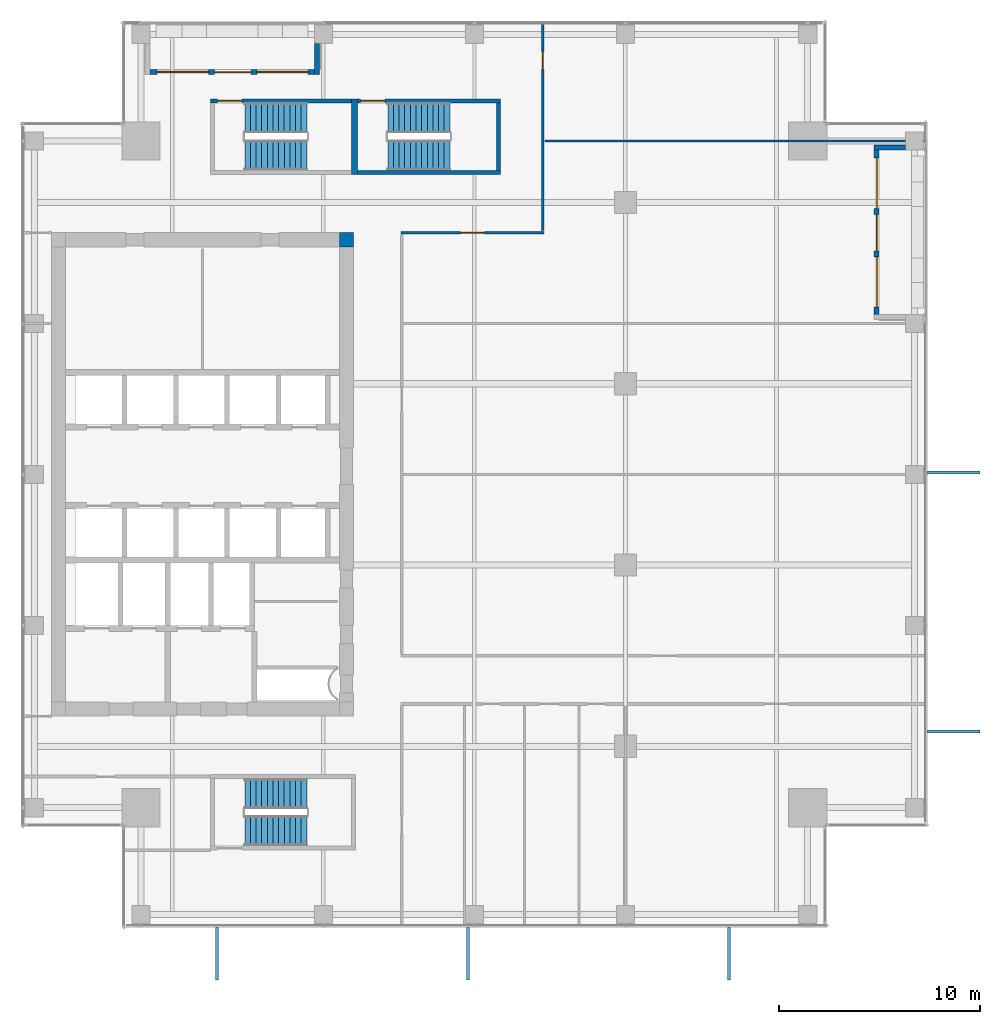
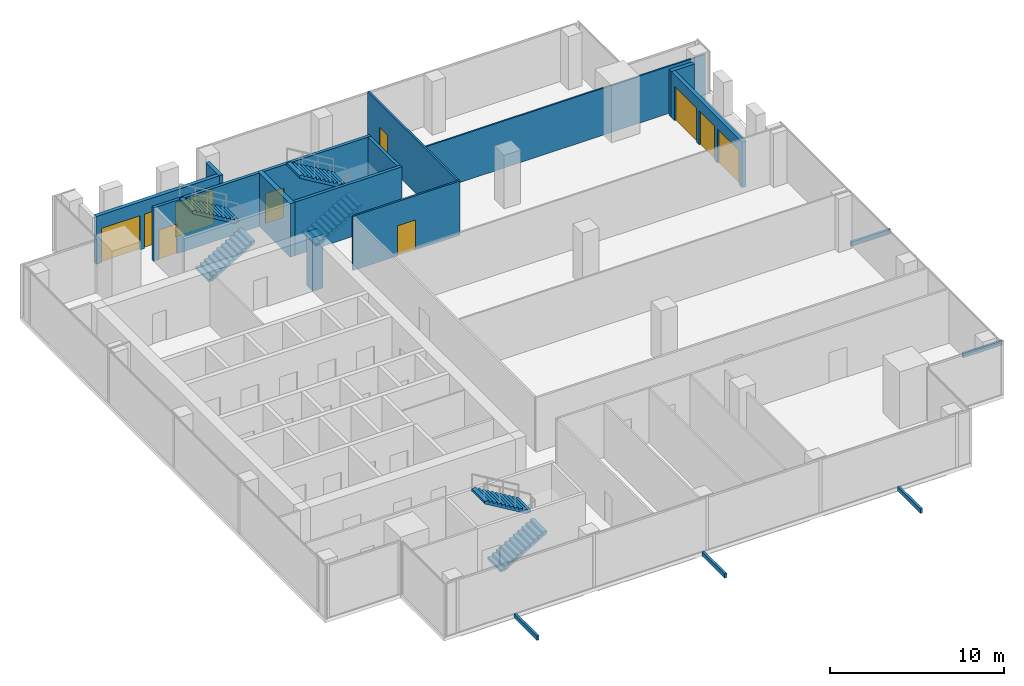
# One storey, part 31 of 34: 13 walls, 6 doors, 6 stair flights, 5 discrete accessories, 4 windows, 10 openings, 3 elements without a shape of their own.
"""IFC4 building model written with IfcOpenShell, lengths in metres."""

import ifcopenshell
import ifcopenshell.guid

model = None  # the IFC model being written
_history = None  # IfcOwnerHistory: only IFC2X3 demands one
_inside = {}  # id of a spatial element -> (the spatial element, [elements in it])
_under = {}  # id of a project, library or spatial element -> (it, [spatial elements below it])
_declared = {}  # id of a project -> (the project, [libraries it declares])
_typed = {}  # id of a type object -> (the type object, [elements of that type])
_made_of = {}  # id of a material, layer set ... -> (it, [elements and type objects made of it])


def new_model(schema):
    """Start an empty IFC model of exactly this schema.

    Asked for "IFC4X3", IfcOpenShell would pick the latest addendum, in which some entities
    have other attributes; the version numbers below select the first issue.
    IFC2X3 requires an IfcOwnerHistory on every rooted entity: one is made here for all.
    """
    global model, _history
    if schema == "IFC4X3":
        model = ifcopenshell.file(schema_version=(4, 3, 0, 0))
    else:
        model = ifcopenshell.file(schema=schema)
    _inside.clear()
    _under.clear()
    _declared.clear()
    _typed.clear()
    _made_of.clear()
    _history = None
    if model.schema == "IFC2X3":
        org = make("IfcOrganization", Name="unknown")
        user = make(
            "IfcPersonAndOrganization",
            ThePerson=make("IfcPerson", FamilyName="unknown"),
            TheOrganization=org,
        )
        app = make(
            "IfcApplication",
            ApplicationDeveloper=org,
            Version="unknown",
            ApplicationFullName="unknown",
            ApplicationIdentifier="unknown",
        )
        _history = make(
            "IfcOwnerHistory",
            OwningUser=user,
            OwningApplication=app,
            ChangeAction="ADDED",
            CreationDate=0,
        )
    return model


def make(cls, **values):
    """One entity of the class cls with the attributes given. An attribute that is None is left unset."""
    return model.create_entity(
        cls, **{name: value for name, value in values.items() if value is not None}
    )


def rooted(cls, **values):
    """An entity with a GlobalId (a new one), such as an element, a storey or a relation."""
    return make(cls, GlobalId=ifcopenshell.guid.new(), OwnerHistory=_history, **values)


def si_unit(unit_type, name, prefix=None):
    """IfcSIUnit, for example si_unit("LENGTHUNIT", "METRE", prefix="MILLI")."""
    return make("IfcSIUnit", UnitType=unit_type, Prefix=prefix, Name=name)


def assignment(units):
    """IfcUnitAssignment: the units of a project."""
    return None if units is None else make("IfcUnitAssignment", Units=units)


def point(xyz):
    """IfcCartesianPoint."""
    return None if xyz is None else make("IfcCartesianPoint", Coordinates=xyz)


def direction(xyz):
    """IfcDirection."""
    return None if xyz is None else make("IfcDirection", DirectionRatios=xyz)


def frame(location, z_axis=None, x_axis=None):
    """IfcAxis2Placement3D, a coordinate frame: its origin and axes. An axis left out is left unset."""
    return make(
        "IfcAxis2Placement3D",
        Location=point(location),
        Axis=direction(z_axis),
        RefDirection=direction(x_axis),
    )


def frame_2d(location, x_axis=None):
    """IfcAxis2Placement2D, a coordinate frame in the plane: its origin and x axis."""
    return make(
        "IfcAxis2Placement2D", Location=point(location), RefDirection=direction(x_axis)
    )


def origin():
    """The frame at (0, 0, 0) with its axes left unset."""
    return frame((0.0, 0.0, 0.0))


def origin_2d():
    """The frame at (0, 0) in the plane with its x axis left unset."""
    return frame_2d((0.0, 0.0))


def place(relative_to, where):
    """IfcLocalPlacement: puts the frame where relative to a parent placement (None: the world)."""
    return make(
        "IfcLocalPlacement", PlacementRelTo=relative_to, RelativePlacement=where
    )


def context(
    kind, dimensions, precision=None, world=None, true_north=None, identifier=None
):
    """IfcGeometricRepresentationContext, for example the 3D "Model" context."""
    return make(
        "IfcGeometricRepresentationContext",
        ContextIdentifier=identifier,
        ContextType=kind,
        CoordinateSpaceDimension=dimensions,
        Precision=precision,
        WorldCoordinateSystem=world,
        TrueNorth=true_north,
    )


def subcontext(parent, identifier, kind, view, scale=None):
    """IfcGeometricRepresentationSubContext, for example "Body" below "Model"."""
    return make(
        "IfcGeometricRepresentationSubContext",
        ContextIdentifier=identifier,
        ContextType=kind,
        ParentContext=parent,
        TargetScale=scale,
        TargetView=view,
    )


def project(units=None, contexts=None):
    """IfcProject with its units and contexts."""
    return rooted(
        "IfcProject",
        Name="project",
        RepresentationContexts=contexts,
        UnitsInContext=assignment(units),
    )


def spatial(cls, under=None, at=None, **own):
    """A site, building, storey or space (cls), placed at a placement, below another one or the project."""
    s = rooted(cls, ObjectPlacement=at, **own)
    if under is not None:
        _under.setdefault(under.id(), (under, []))[1].append(s)
    return s


def polyline(points):
    """IfcPolyline through the points."""
    return make("IfcPolyline", Points=[point(p) for p in points])


def profile(cls, at=None, kind="AREA", **sizes):
    """A parametric profile (cls). Its sizes go by their IFC names, for example OverallWidth=200.0."""
    return make(cls, ProfileType=kind, Position=at, **sizes)


def rectangle(**sizes):
    """IfcRectangleProfileDef."""
    return profile("IfcRectangleProfileDef", **sizes)


def outline(outer, holes=None, kind="AREA"):
    """IfcArbitraryClosedProfileDef: a profile drawn as a closed curve; with holes, ...WithVoids."""
    if holes is None:
        return make("IfcArbitraryClosedProfileDef", ProfileType=kind, OuterCurve=outer)
    return make(
        "IfcArbitraryProfileDefWithVoids",
        ProfileType=kind,
        OuterCurve=outer,
        InnerCurves=holes,
    )


def extrude(swept, where, along, depth):
    """IfcExtrudedAreaSolid: the profile swept, set in the frame where, extruded along a direction by depth."""
    return make(
        "IfcExtrudedAreaSolid",
        SweptArea=swept,
        Position=where,
        ExtrudedDirection=direction(along),
        Depth=depth,
    )


def shape(context_of_items, identifier, shape_type, items):
    """IfcShapeRepresentation: the items that make up one representation, for example the "Body"."""
    return make(
        "IfcShapeRepresentation",
        ContextOfItems=context_of_items,
        RepresentationIdentifier=identifier,
        RepresentationType=shape_type,
        Items=items,
    )


def source(mapping_origin, context_of_items, identifier, shape_type, items):
    """IfcRepresentationMap: a shape defined once, which mapped items show again and again."""
    return make(
        "IfcRepresentationMap",
        MappingOrigin=mapping_origin,
        MappedRepresentation=shape(context_of_items, identifier, shape_type, items),
    )


def transform(
    local_origin,
    x_axis=None,
    y_axis=None,
    z_axis=None,
    scale=None,
    scale2=None,
    scale3=None,
    uniform=True,
):
    """IfcCartesianTransformationOperator3D, or its non-uniform kind. x_axis, y_axis, z_axis: its Axis1, 2, 3."""
    if uniform:
        return make(
            "IfcCartesianTransformationOperator3D",
            Axis1=direction(x_axis),
            Axis2=direction(y_axis),
            LocalOrigin=point(local_origin),
            Scale=scale,
            Axis3=direction(z_axis),
        )
    return make(
        "IfcCartesianTransformationOperator3DnonUniform",
        Axis1=direction(x_axis),
        Axis2=direction(y_axis),
        LocalOrigin=point(local_origin),
        Scale=scale,
        Axis3=direction(z_axis),
        Scale2=scale2,
        Scale3=scale3,
    )


def mapped(mapping_source, mapping_target):
    """IfcMappedItem: shows the shape of a source again, moved by a transform."""
    return make(
        "IfcMappedItem", MappingSource=mapping_source, MappingTarget=mapping_target
    )


def material(Name=None, Category=None):
    """IfcMaterial."""
    return make("IfcMaterial", Name=Name, Category=Category)


def layer(
    of_material, thickness, ventilated=None, Name=None, Category=None, Priority=None
):
    """IfcMaterialLayer: one layer of a wall or slab, of a material (None: an air gap)."""
    return make(
        "IfcMaterialLayer",
        Material=of_material,
        LayerThickness=thickness,
        IsVentilated=ventilated,
        Name=Name,
        Category=Category,
        Priority=Priority,
    )


def layer_set(layers, Name=None):
    """IfcMaterialLayerSet."""
    return make("IfcMaterialLayerSet", MaterialLayers=layers, LayerSetName=Name)


def made_of(thing, what):
    """Note that an element or type object is made of a material, layer set ...; save() writes the relation."""
    if what is not None:
        _made_of.setdefault(what.id(), (what, []))[1].append(thing)
    return thing


def type_object(cls, material=None, **own):
    """A type object (cls), such as IfcWallType, which elements share."""
    return made_of(rooted(cls, **own), material)


def element(
    cls,
    number,
    at=None,
    inside=None,
    cuts=None,
    type_object=None,
    material=None,
    context=None,
    identifier="Body",
    shape_type=None,
    held_by="IfcProductDefinitionShape",
    body=None,
    shapes=None,
    **own,
):
    """One element of the class cls, such as IfcWall. Its Tag is "e" and its number.

    at: its placement. inside: the storey or other place that contains it. cuts: it is an
    opening in that element (IfcRelVoidsElement). A single representation is given by context,
    identifier, shape_type and body (its items); several are given by shapes. held_by: the class
    of the entity that holds the representations. save() writes the other relations.
    """
    e = rooted(cls, Tag="e%d" % number, ObjectPlacement=at, **own)
    if body is not None:
        shapes = [shape(context, identifier, shape_type, body)]
    if shapes is not None:
        e.Representation = make(held_by, Representations=shapes)
    if inside is not None:
        _inside.setdefault(inside.id(), (inside, []))[1].append(e)
    if cuts is not None:
        rooted(
            "IfcRelVoidsElement", RelatingBuildingElement=cuts, RelatedOpeningElement=e
        )
    if type_object is not None:
        _typed.setdefault(type_object.id(), (type_object, []))[1].append(e)
    return made_of(e, material)


def fill(opening, filler):
    """IfcRelFillsElement: the door or window that sits in an opening."""
    return rooted(
        "IfcRelFillsElement",
        RelatingOpeningElement=opening,
        RelatedBuildingElement=filler,
    )


def aggregate(whole, parts):
    """IfcRelAggregates: a whole, such as a stair, and the parts it consists of."""
    return rooted("IfcRelAggregates", RelatingObject=whole, RelatedObjects=parts)


def save(model, path):
    """Write the relations noted so far, then the file.

    IfcRelAggregates (storeys below a building ...), IfcRelContainedInSpatialStructure (elements
    in a storey), IfcRelDefinesByType, IfcRelAssociatesMaterial and IfcRelDeclares: one each for
    every whole, place, type object, material and project.
    """
    for whole, parts in _under.values():
        aggregate(whole, parts)
    for where, things in _inside.values():
        rooted(
            "IfcRelContainedInSpatialStructure",
            RelatedElements=things,
            RelatingStructure=where,
        )
    for kind, things in _typed.values():
        rooted("IfcRelDefinesByType", RelatedObjects=things, RelatingType=kind)
    for what, things in _made_of.values():
        rooted("IfcRelAssociatesMaterial", RelatedObjects=things, RelatingMaterial=what)
    for by, libraries in _declared.values():
        rooted("IfcRelDeclares", RelatingContext=by, RelatedDefinitions=libraries)
    model.write(path)


model = new_model("IFC4")

# Units and contexts
model_context = context("Model", 3, precision=1e-05, world=origin(), true_north=direction((0.0, 1.0)))
body_context = subcontext(model_context, "Body", "Model", "MODEL_VIEW")
ifc_project = project(units=[si_unit("LENGTHUNIT", "METRE"), si_unit("AREAUNIT", "SQUARE_METRE"), si_unit("VOLUMEUNIT", "CUBIC_METRE"), si_unit("PLANEANGLEUNIT", "RADIAN"), si_unit("MASSUNIT", "GRAM", prefix="KILO")], contexts=[model_context])

# Site, building, storey
site_placement = place(None, origin())
site = spatial("IfcSite", under=ifc_project, at=site_placement, CompositionType="ELEMENT")
building_placement = place(site_placement, origin())
building = spatial("IfcBuilding", under=site, at=building_placement, Name="Khomas Fold Tower", CompositionType="ELEMENT")
storey_placement = place(building_placement, frame((0.0, 0.0, 254.199951171875)))
storey = spatial("IfcBuildingStorey", under=building, at=storey_placement, Name="L57", CompositionType="ELEMENT", Elevation=254.199951171875)

# Wall, opening, door
ifc_material_1 = material(Name="Concrete C50/60", Category="concrete")
ifc_layer_1 = layer(ifc_material_1, 0.199951171875)
ifc_layer_set_1 = layer_set([ifc_layer_1], Name="Concrete C50/60")
wall_type_1 = type_object("IfcWallType", Name="Stair wall 200", PredefinedType="SHEAR", material=ifc_layer_set_1)
shared_shape_1 = source(origin(), body_context, "Body", "SweptSolid", [
    extrude(rectangle(XDim=7.0, YDim=0.199951171875, at=frame_2d((3.5, 0.0))), origin(), (0.0, 0.0, 1.0), 3.75),
])
wall_1_placement = place(storey_placement, frame((13.89990234375, 45.550048828125, 0.0), z_axis=(0.0, 0.0, 1.0), x_axis=(1.0, 0.0, 0.0)))
wall_1 = element("IfcWall", 1, at=wall_1_placement, inside=storey, type_object=wall_type_1, Name="Stair wall SW-ST1-N", PredefinedType="SHEAR", context=body_context, shape_type="MappedRepresentation", body=[
    mapped(shared_shape_1, transform((0.0, 0.0, 0.0))),
])
shared_shape_2 = source(origin(), body_context, "Body", "SweptSolid", [
    extrude(rectangle(XDim=1.199951171875, YDim=2.10009765625, at=frame_2d((0.60009765625, 1.050048828125))), frame((0.0, 0.10986328125, 0.0), z_axis=(0.0, -1.0, 0.0), x_axis=(1.0, 0.0, 0.0)), (0.0, 0.0, 1.0), 0.219970703125),
])
opening_1_placement = place(wall_1_placement, frame((0.35009765625, 0.0, 0.0)))
opening_1 = element("IfcOpeningElement", 2, at=opening_1_placement, cuts=wall_1, Name="Opening SD-ST1", PredefinedType="OPENING", context=body_context, shape_type="MappedRepresentation", body=[
    mapped(shared_shape_2, transform((0.0, 0.0, 0.0))),
])
ifc_material_2 = material(Name="Steel door leaf", Category="steel")
door_type_1 = type_object("IfcDoorType", Name="Stair door 1200x2100 left-hand", OperationType="SINGLE_SWING_LEFT", PredefinedType="DOOR", material=ifc_material_2)
shared_shape_3 = source(origin(), body_context, "Body", "SweptSolid", [
    extrude(rectangle(XDim=1.199951171875, YDim=2.10009765625, at=frame_2d((0.60009765625, 1.050048828125))), frame((0.0, 0.02490234375, 0.0), z_axis=(0.0, -1.0, 0.0), x_axis=(1.0, 0.0, 0.0)), (0.0, 0.0, 1.0), 0.050048828125),
])
door_1_placement = place(opening_1_placement, origin())
door_1 = element("IfcDoor", 3, at=door_1_placement, inside=storey, type_object=door_type_1, Name="Stair door", OperationType="SINGLE_SWING_LEFT", OverallHeight=2.10009765625, OverallWidth=1.199951171875, PredefinedType="DOOR", context=body_context, shape_type="MappedRepresentation", body=[
    mapped(shared_shape_3, transform((0.0, 0.0, 0.0))),
])
fill(opening_1, door_1)

shared_shape_4 = source(origin(), body_context, "Body", "SweptSolid", [
    extrude(rectangle(XDim=7.10009765625, YDim=0.199951171875, at=frame_2d((3.550048828125, 0.0))), origin(), (0.0, 0.0, 1.0), 3.75),
])
wall_2_placement = place(storey_placement, frame((21.199951171875, 45.550048828125, 0.0), z_axis=(0.0, 0.0, 1.0), x_axis=(1.0, 0.0, 0.0)))
wall_2 = element("IfcWall", 4, at=wall_2_placement, inside=storey, type_object=wall_type_1, Name="Stair wall SW-ST3-N", PredefinedType="SHEAR", context=body_context, shape_type="MappedRepresentation", body=[
    mapped(shared_shape_4, transform((0.0, 0.0, 0.0))),
])
opening_2_placement = place(wall_2_placement, frame((0.14990234375, 0.0, 0.0)))
opening_2 = element("IfcOpeningElement", 5, at=opening_2_placement, cuts=wall_2, Name="Opening SD-ST3", PredefinedType="OPENING", context=body_context, shape_type="MappedRepresentation", body=[
    mapped(shared_shape_2, transform((0.0, 0.0, 0.0))),
])
door_2_placement = place(opening_2_placement, origin())
door_2 = element("IfcDoor", 6, at=door_2_placement, inside=storey, type_object=door_type_1, Name="Stair door", OperationType="SINGLE_SWING_LEFT", OverallHeight=2.10009765625, OverallWidth=1.199951171875, PredefinedType="DOOR", context=body_context, shape_type="MappedRepresentation", body=[
    mapped(shared_shape_3, transform((0.0, 0.0, 0.0))),
])
fill(opening_2, door_2)

# Walls
wall_3_placement = place(storey_placement, frame((21.199951171875, 42.0, 0.0), z_axis=(0.0, 0.0, 1.0), x_axis=(1.0, 0.0, 0.0)))
element("IfcWall", 7, at=wall_3_placement, inside=storey, type_object=wall_type_1, Name="Stair wall SW-ST3-S", PredefinedType="SHEAR", context=body_context, shape_type="MappedRepresentation", body=[
    mapped(shared_shape_4, transform((0.0, 0.0, 0.0))),
])
ifc_material_3 = material(Name="Concrete C50/60", Category="concrete")
ifc_layer_2 = layer(ifc_material_3, 0.300048828125)
ifc_layer_set_2 = layer_set([ifc_layer_2], Name="Concrete C50/60")
wall_type_2 = type_object("IfcWallType", Name="Stair wall 300", PredefinedType="SHEAR", material=ifc_layer_set_2)
shared_shape_5 = source(origin(), body_context, "Body", "SweptSolid", [
    extrude(rectangle(XDim=3.75, YDim=0.300048828125, at=frame_2d((1.875, 0.0))), origin(), (0.0, 0.0, 1.0), 3.75),
])
wall_4_placement = place(storey_placement, frame((21.050048828125, 41.89990234375, 0.0), z_axis=(0.0, 0.0, 1.0), x_axis=(0.0, 1.0, 0.0)))
element("IfcWall", 8, at=wall_4_placement, inside=storey, type_object=wall_type_2, Name="Stair wall SW-ST1-E", PredefinedType="SHEAR", context=body_context, shape_type="MappedRepresentation", body=[
    mapped(shared_shape_5, transform((0.0, 0.0, 0.0))),
])
shared_shape_6 = source(origin(), body_context, "Body", "SweptSolid", [
    extrude(rectangle(XDim=3.349853515625, YDim=0.199951171875, at=frame_2d((1.6748046875, 0.0))), origin(), (0.0, 0.0, 1.0), 3.75),
])
wall_5_placement = place(storey_placement, frame((28.199951171875, 42.10009765625, 0.0), z_axis=(0.0, 0.0, 1.0), x_axis=(0.0, 1.0, 0.0)))
element("IfcWall", 9, at=wall_5_placement, inside=storey, type_object=wall_type_1, Name="Stair wall SW-ST3-E", PredefinedType="SHEAR", context=body_context, shape_type="MappedRepresentation", body=[
    mapped(shared_shape_6, transform((0.0, 0.0, 0.0))),
])
ifc_material_4 = material(Name="Concrete C60/75", Category="concrete")
ifc_layer_3 = layer(ifc_material_4, 0.699951171875)
ifc_layer_set_3 = layer_set([ifc_layer_3], Name="Concrete C60/75")
wall_type_3 = type_object("IfcWallType", Name="Core corner wall 700", PredefinedType="SHEAR", material=ifc_layer_set_3)
shared_shape_7 = source(origin(), body_context, "Body", "SweptSolid", [
    extrude(rectangle(XDim=0.699951171875, YDim=0.699951171875, at=frame_2d((0.35009765625, 0.0))), origin(), (0.0, 0.0, 1.0), 3.75),
])
wall_6_placement = place(storey_placement, frame((20.300048828125, 38.64990234375, 0.0), z_axis=(0.0, 0.0, 1.0), x_axis=(1.0, 0.0, 0.0)))
element("IfcWall", 10, at=wall_6_placement, inside=storey, type_object=wall_type_3, Name="Core wall CW-U-NE-L49", PredefinedType="SHEAR", context=body_context, shape_type="MappedRepresentation", body=[
    mapped(shared_shape_7, transform((0.0, 0.0, 0.0))),
])

# Wall, openings, door, windows
ifc_material_5 = material(Name="Natural stone", Category="masonry")
ifc_layer_4 = layer(ifc_material_5, 0.0400390625)
ifc_material_6 = material(Name="Mineral wool insulation", Category="insulation")
ifc_layer_5 = layer(ifc_material_6, 0.10009765625)
ifc_material_7 = material(Name="Masonry", Category="masonry")
ifc_layer_6 = layer(ifc_material_7, 0.110107421875)
ifc_layer_set_4 = layer_set([ifc_layer_4, ifc_layer_5, ifc_layer_6], Name="Stone-faced insulated masonry")
wall_type_4 = type_object("IfcWallType", Name="BL-Balcony wall", PredefinedType="SOLIDWALL", material=ifc_layer_set_4)
shared_shape_8 = source(origin(), body_context, "Body", "SweptSolid", [
    extrude(rectangle(XDim=8.150146484375, YDim=0.25, at=frame_2d((4.0751953125, 0.0))), origin(), (0.0, 0.0, 1.0), 3.35009765625),
])
wall_7_placement = place(storey_placement, frame((10.89990234375, 46.97509765625, 0.0), z_axis=(0.0, 0.0, 1.0), x_axis=(1.0, 0.0, 0.0)))
wall_7 = element("IfcWall", 11, at=wall_7_placement, inside=storey, type_object=wall_type_4, Name="Balcony wall BAL-L57-N1", PredefinedType="SOLIDWALL", context=body_context, shape_type="MappedRepresentation", body=[
    mapped(shared_shape_8, transform((0.0, 0.0, 0.0))),
])
shared_shape_9 = source(origin(), body_context, "Body", "SweptSolid", [
    extrude(rectangle(XDim=2.550048828125, YDim=2.39990234375, at=frame_2d((1.27490234375, 1.199951171875))), frame((0.0, 0.135009765625, 0.0), z_axis=(0.0, -1.0, 0.0), x_axis=(1.0, 0.0, 0.0)), (0.0, 0.0, 1.0), 0.27001953125),
])
opening_3_placement = place(wall_7_placement, frame((0.35009765625, 0.0, 0.0)))
opening_3 = element("IfcOpeningElement", 12, at=opening_3_placement, cuts=wall_7, Name="Opening BL-W4", PredefinedType="OPENING", context=body_context, shape_type="MappedRepresentation", body=[
    mapped(shared_shape_9, transform((0.0, 0.0, 0.0))),
])
opening_4_placement = place(wall_7_placement, frame((5.300048828125, 0.0, 0.0)))
opening_4 = element("IfcOpeningElement", 13, at=opening_4_placement, cuts=wall_7, Name="Opening BL-W4", PredefinedType="OPENING", context=body_context, shape_type="MappedRepresentation", body=[
    mapped(shared_shape_9, transform((0.0, 0.0, 0.0))),
])
shared_shape_10 = source(origin(), body_context, "Body", "SweptSolid", [
    extrude(rectangle(XDim=1.800048828125, YDim=2.39990234375, at=frame_2d((0.89990234375, 1.199951171875))), frame((0.0, 0.135009765625, 0.0), z_axis=(0.0, -1.0, 0.0), x_axis=(1.0, 0.0, 0.0)), (0.0, 0.0, 1.0), 0.27001953125),
])
opening_5_placement = place(wall_7_placement, frame((3.199951171875, 0.0, 0.0)))
opening_5 = element("IfcOpeningElement", 14, at=opening_5_placement, cuts=wall_7, Name="Opening BD572", PredefinedType="OPENING", context=body_context, shape_type="MappedRepresentation", body=[
    mapped(shared_shape_10, transform((0.0, 0.0, 0.0))),
])
ifc_material_8 = material(Name="Aluminium framed double glazing", Category="aluminium")
door_type_2 = type_object("IfcDoorType", Name="BL-Glazed balcony door 1800 x 2400", OperationType="DOUBLE_DOOR_DOUBLE_SWING", PredefinedType="DOOR", material=ifc_material_8)
shared_shape_11 = source(origin(), body_context, "Body", "SweptSolid", [
    extrude(rectangle(XDim=1.800048828125, YDim=2.39990234375, at=frame_2d((0.89990234375, 1.199951171875))), frame((0.0, 0.02490234375, 0.0), z_axis=(0.0, -1.0, 0.0), x_axis=(1.0, 0.0, 0.0)), (0.0, 0.0, 1.0), 0.050048828125),
])
door_3_placement = place(opening_5_placement, origin())
door_3 = element("IfcDoor", 15, at=door_3_placement, inside=storey, type_object=door_type_2, Name="Balcony door BD572", OperationType="DOUBLE_DOOR_DOUBLE_SWING", OverallHeight=2.39990234375, OverallWidth=1.800048828125, PredefinedType="DOOR", context=body_context, shape_type="MappedRepresentation", body=[
    mapped(shared_shape_11, transform((0.0, 0.0, 0.0))),
])
fill(opening_5, door_3)
ifc_material_9 = material(Name="Aluminium framed double glazing", Category="aluminium")
window_type_1 = type_object("IfcWindowType", Name="BL-Fixed glazing 2550 x 2400", PartitioningType="SINGLE_PANEL", PredefinedType="WINDOW", material=ifc_material_9)
shared_shape_12 = source(origin(), body_context, "Body", "SweptSolid", [
    extrude(rectangle(XDim=2.550048828125, YDim=2.39990234375, at=frame_2d((1.27490234375, 1.199951171875))), frame((0.0, 0.030029296875, 0.0), z_axis=(0.0, -1.0, 0.0), x_axis=(1.0, 0.0, 0.0)), (0.0, 0.0, 1.0), 0.06005859375),
])
window_1_placement = place(opening_3_placement, origin())
window_1 = element("IfcWindow", 16, at=window_1_placement, inside=storey, type_object=window_type_1, Name="Balcony glazing BAL-L57-N1-1", OverallHeight=2.39990234375, OverallWidth=2.550048828125, PartitioningType="SINGLE_PANEL", PredefinedType="WINDOW", context=body_context, shape_type="MappedRepresentation", body=[
    mapped(shared_shape_12, transform((0.0, 0.0, 0.0))),
])
fill(opening_3, window_1)
window_2_placement = place(opening_4_placement, origin())
window_2 = element("IfcWindow", 17, at=window_2_placement, inside=storey, type_object=window_type_1, Name="Balcony glazing BAL-L57-N1-2", OverallHeight=2.39990234375, OverallWidth=2.550048828125, PartitioningType="SINGLE_PANEL", PredefinedType="WINDOW", context=body_context, shape_type="MappedRepresentation", body=[
    mapped(shared_shape_12, transform((0.0, 0.0, 0.0))),
])
fill(opening_4, window_2)

# Walls
shared_shape_13 = source(origin(), body_context, "Body", "SweptSolid", [
    extrude(rectangle(XDim=1.5498046875, YDim=0.25, at=frame_2d((0.77490234375, 0.0))), origin(), (0.0, 0.0, 1.0), 3.35009765625),
])
wall_8_placement = place(storey_placement, frame((19.175048828125, 48.39990234375, 0.0), z_axis=(0.0, 0.0, 1.0), x_axis=(0.0, -1.0, 0.0)))
element("IfcWall", 18, at=wall_8_placement, inside=storey, type_object=wall_type_4, Name="Balcony return wall BAL-L57-N1-hi", PredefinedType="SOLIDWALL", context=body_context, shape_type="MappedRepresentation", body=[
    mapped(shared_shape_13, transform((0.0, 0.0, 0.0))),
])
shared_shape_14 = source(origin(), body_context, "Body", "SweptSolid", [
    extrude(rectangle(XDim=1.5498046875, YDim=0.25, at=frame_2d((0.77490234375, 0.0))), origin(), (0.0, 0.0, 1.0), 3.199951171875),
])
wall_9_placement = place(storey_placement, frame((48.39990234375, 43.22509765625, 0.0), z_axis=(0.0, 0.0, 1.0), x_axis=(-1.0, 0.0, 0.0)))
element("IfcWall", 19, at=wall_9_placement, inside=storey, type_object=wall_type_4, Name="Balcony return wall BAL-L57-E4-hi", PredefinedType="SOLIDWALL", context=body_context, shape_type="MappedRepresentation", body=[
    mapped(shared_shape_14, transform((0.0, 0.0, 0.0))),
])

# Wall, openings, door, windows
shared_shape_15 = source(origin(), body_context, "Body", "SweptSolid", [
    extrude(rectangle(XDim=8.150146484375, YDim=0.25, at=frame_2d((4.0751953125, 0.0))), origin(), (0.0, 0.0, 1.0), 3.199951171875),
])
wall_10_placement = place(storey_placement, frame((46.97509765625, 34.949951171875, 0.0), z_axis=(0.0, 0.0, 1.0), x_axis=(0.0, 1.0, 0.0)))
wall_10 = element("IfcWall", 20, at=wall_10_placement, inside=storey, type_object=wall_type_4, Name="Balcony wall BAL-L57-E4", PredefinedType="SOLIDWALL", context=body_context, shape_type="MappedRepresentation", body=[
    mapped(shared_shape_15, transform((0.0, 0.0, 0.0))),
])
shared_shape_16 = source(origin(), body_context, "Body", "SweptSolid", [
    extrude(rectangle(XDim=2.5, YDim=2.39990234375, at=frame_2d((1.25, 1.199951171875))), frame((0.0, 0.135009765625, 0.0), z_axis=(0.0, -1.0, 0.0), x_axis=(1.0, 0.0, 0.0)), (0.0, 0.0, 1.0), 0.27001953125),
])
opening_6_placement = place(wall_10_placement, frame((0.35009765625, 0.0, 0.0)))
opening_6 = element("IfcOpeningElement", 21, at=opening_6_placement, cuts=wall_10, Name="Opening BL-W5", PredefinedType="OPENING", context=body_context, shape_type="MappedRepresentation", body=[
    mapped(shared_shape_16, transform((0.0, 0.0, 0.0))),
])
opening_7_placement = place(wall_10_placement, frame((5.25, 0.0, 0.0)))
opening_7 = element("IfcOpeningElement", 22, at=opening_7_placement, cuts=wall_10, Name="Opening BL-W5", PredefinedType="OPENING", context=body_context, shape_type="MappedRepresentation", body=[
    mapped(shared_shape_16, transform((0.0, 0.0, 0.0))),
])
opening_8_placement = place(wall_10_placement, frame((3.14990234375, 0.0, 0.0)))
opening_8 = element("IfcOpeningElement", 23, at=opening_8_placement, cuts=wall_10, Name="Opening BD571", PredefinedType="OPENING", context=body_context, shape_type="MappedRepresentation", body=[
    mapped(shared_shape_10, transform((0.0, 0.0, 0.0))),
])
door_4_placement = place(opening_8_placement, origin())
door_4 = element("IfcDoor", 24, at=door_4_placement, inside=storey, type_object=door_type_2, Name="Balcony door BD571", OperationType="DOUBLE_DOOR_DOUBLE_SWING", OverallHeight=2.39990234375, OverallWidth=1.800048828125, PredefinedType="DOOR", context=body_context, shape_type="MappedRepresentation", body=[
    mapped(shared_shape_11, transform((0.0, 0.0, 0.0))),
])
fill(opening_8, door_4)
ifc_material_10 = material(Name="Aluminium framed double glazing", Category="aluminium")
window_type_2 = type_object("IfcWindowType", Name="BL-Fixed glazing 2500 x 2400", PartitioningType="SINGLE_PANEL", PredefinedType="WINDOW", material=ifc_material_10)
shared_shape_17 = source(origin(), body_context, "Body", "SweptSolid", [
    extrude(rectangle(XDim=2.5, YDim=2.39990234375, at=frame_2d((1.25, 1.199951171875))), frame((0.0, 0.030029296875, 0.0), z_axis=(0.0, -1.0, 0.0), x_axis=(1.0, 0.0, 0.0)), (0.0, 0.0, 1.0), 0.06005859375),
])
window_3_placement = place(opening_6_placement, origin())
window_3 = element("IfcWindow", 25, at=window_3_placement, inside=storey, type_object=window_type_2, Name="Balcony glazing BAL-L57-E4-1", OverallHeight=2.39990234375, OverallWidth=2.5, PartitioningType="SINGLE_PANEL", PredefinedType="WINDOW", context=body_context, shape_type="MappedRepresentation", body=[
    mapped(shared_shape_17, transform((0.0, 0.0, 0.0))),
])
fill(opening_6, window_3)
window_4_placement = place(opening_7_placement, origin())
window_4 = element("IfcWindow", 26, at=window_4_placement, inside=storey, type_object=window_type_2, Name="Balcony glazing BAL-L57-E4-2", OverallHeight=2.39990234375, OverallWidth=2.5, PartitioningType="SINGLE_PANEL", PredefinedType="WINDOW", context=body_context, shape_type="MappedRepresentation", body=[
    mapped(shared_shape_17, transform((0.0, 0.0, 0.0))),
])
fill(opening_7, window_4)

# Wall, opening, door
ifc_material_11 = material(Name="Plasterboard partition")
ifc_layer_7 = layer(ifc_material_11, 0.125)
ifc_layer_set_5 = layer_set([ifc_layer_7], Name="Plasterboard partition")
wall_type_5 = type_object("IfcWallType", Name="Partition PW2 125", PredefinedType="PARTITIONING", material=ifc_layer_set_5)
shared_shape_18 = source(origin(), body_context, "Body", "SweptSolid", [
    extrude(rectangle(XDim=10.25, YDim=0.125, at=frame_2d((5.125, 0.0))), origin(), (0.0, 0.0, 1.0), 3.800048828125),
])
wall_11_placement = place(storey_placement, frame((30.39990234375, 39.10009765625, 0.0), z_axis=(0.0, 0.0, 1.0), x_axis=(0.0, 1.0, 0.0)))
wall_11 = element("IfcWall", 27, at=wall_11_placement, inside=storey, type_object=wall_type_5, Name="Partition", PredefinedType="PARTITIONING", context=body_context, shape_type="MappedRepresentation", body=[
    mapped(shared_shape_18, transform((0.0, 0.0, 0.0))),
])
shared_shape_19 = source(origin(), body_context, "Body", "SweptSolid", [
    extrude(rectangle(XDim=0.89990234375, YDim=2.10009765625, at=frame_2d((0.449951171875, 1.050048828125))), frame((0.0, 0.072509765625, 0.0), z_axis=(0.0, -1.0, 0.0), x_axis=(1.0, 0.0, 0.0)), (0.0, 0.0, 1.0), 0.14501953125),
])
opening_9_placement = place(wall_11_placement, frame((8.0, 0.0, 0.0)))
opening_9 = element("IfcOpeningElement", 28, at=opening_9_placement, cuts=wall_11, Name="Opening 0007", PredefinedType="OPENING", context=body_context, shape_type="MappedRepresentation", body=[
    mapped(shared_shape_19, transform((0.0, 0.0, 0.0))),
])
ifc_material_12 = material(Name="Timber door leaf", Category="wood")
door_type_3 = type_object("IfcDoorType", Name="Door 900x2100 left-hand", OperationType="SINGLE_SWING_LEFT", PredefinedType="DOOR", material=ifc_material_12)
shared_shape_20 = source(origin(), body_context, "Body", "SweptSolid", [
    extrude(rectangle(XDim=0.89990234375, YDim=2.10009765625, at=frame_2d((0.449951171875, 1.050048828125))), frame((0.0, 0.02490234375, 0.0), z_axis=(0.0, -1.0, 0.0), x_axis=(1.0, 0.0, 0.0)), (0.0, 0.0, 1.0), 0.050048828125),
])
door_5_placement = place(opening_9_placement, origin())
door_5 = element("IfcDoor", 29, at=door_5_placement, inside=storey, type_object=door_type_3, Name="Door", OperationType="SINGLE_SWING_LEFT", OverallHeight=2.10009765625, OverallWidth=0.89990234375, PredefinedType="DOOR", context=body_context, shape_type="MappedRepresentation", body=[
    mapped(shared_shape_20, transform((0.0, 0.0, 0.0))),
])
fill(opening_9, door_5)

shared_shape_21 = source(origin(), body_context, "Body", "SweptSolid", [
    extrude(rectangle(XDim=7.099853515625, YDim=0.125, at=frame_2d((3.5498046875, 0.0))), origin(), (0.0, 0.0, 1.0), 3.800048828125),
])
wall_12_placement = place(storey_placement, frame((23.35009765625, 39.0, 0.0), z_axis=(0.0, 0.0, 1.0), x_axis=(1.0, 0.0, 0.0)))
wall_12 = element("IfcWall", 30, at=wall_12_placement, inside=storey, type_object=wall_type_5, Name="Partition", PredefinedType="PARTITIONING", context=body_context, shape_type="MappedRepresentation", body=[
    mapped(shared_shape_21, transform((0.0, 0.0, 0.0))),
])
shared_shape_22 = source(origin(), body_context, "Body", "SweptSolid", [
    extrude(rectangle(XDim=1.199951171875, YDim=2.10009765625, at=frame_2d((0.60009765625, 1.050048828125))), frame((0.0, 0.072509765625, 0.0), z_axis=(0.0, -1.0, 0.0), x_axis=(1.0, 0.0, 0.0)), (0.0, 0.0, 1.0), 0.14501953125),
])
opening_10_placement = place(wall_12_placement, frame((2.949951171875, 0.0, 0.0)))
opening_10 = element("IfcOpeningElement", 31, at=opening_10_placement, cuts=wall_12, Name="Opening 0013", PredefinedType="OPENING", context=body_context, shape_type="MappedRepresentation", body=[
    mapped(shared_shape_22, transform((0.0, 0.0, 0.0))),
])
ifc_material_13 = material(Name="Timber door leaf", Category="wood")
door_type_4 = type_object("IfcDoorType", Name="Door 1200x2100 left-hand", OperationType="SINGLE_SWING_LEFT", PredefinedType="DOOR", material=ifc_material_13)
door_6_placement = place(opening_10_placement, origin())
door_6 = element("IfcDoor", 32, at=door_6_placement, inside=storey, type_object=door_type_4, Name="Door", OperationType="SINGLE_SWING_LEFT", OverallHeight=2.10009765625, OverallWidth=1.199951171875, PredefinedType="DOOR", context=body_context, shape_type="MappedRepresentation", body=[
    mapped(shared_shape_3, transform((0.0, 0.0, 0.0))),
])
fill(opening_10, door_6)

# Wall
ifc_material_14 = material(Name="Plasterboard partition")
ifc_layer_8 = layer(ifc_material_14, 0.10009765625)
ifc_layer_set_6 = layer_set([ifc_layer_8], Name="Plasterboard partition")
wall_type_6 = type_object("IfcWallType", Name="Partition PW1 100", PredefinedType="PARTITIONING", material=ifc_layer_set_6)
shared_shape_23 = source(origin(), body_context, "Body", "SweptSolid", [
    extrude(rectangle(XDim=18.85009765625, YDim=0.10009765625, at=frame_2d((9.425048828125, 0.0))), origin(), (0.0, 0.0, 1.0), 3.300048828125),
])
wall_13_placement = place(storey_placement, frame((30.5, 43.550048828125, 0.0), z_axis=(0.0, 0.0, 1.0), x_axis=(1.0, 0.0, 0.0)))
element("IfcWall", 33, at=wall_13_placement, inside=storey, type_object=wall_type_6, Name="Partition", PredefinedType="PARTITIONING", context=body_context, shape_type="MappedRepresentation", body=[
    mapped(shared_shape_23, transform((0.0, 0.0, 0.0))),
])

# Stair, stair flights
ifc_material_15 = material(Name="Concrete C40/50", Category="concrete")
stair_type_1 = type_object("IfcStairType", Name="Stair ST1", PredefinedType="HALF_TURN_STAIR", material=ifc_material_15)
stair_1_placement = place(storey_placement, origin())
stair_1 = element("IfcStair", 34, at=stair_1_placement, inside=storey, type_object=stair_type_1, Name="L57 ST1", PredefinedType="HALF_TURN_STAIR")
ifc_material_16 = material(Name="Concrete C40/50", Category="concrete")
stair_flight_type_1 = type_object("IfcStairFlightType", Name="Stair flight 1500 ST1", PredefinedType="STRAIGHT", material=ifc_material_16)
shared_shape_24 = source(origin(), body_context, "Body", "SweptSolid", [
    extrude(outline(polyline([(0.0, 0.0), (0.0, 0.012939453125), (0.0, 0.025634765625), (0.0, 0.03857421875), (0.0, 0.05126953125), (0.0, 0.064208984375), (0.0, 0.076904296875), (0.0, 0.08984375), (0.0, 0.1025390625), (0.0, 0.115478515625), (0.0, 0.128173828125), (0.0, 0.14111328125), (0.0, 0.15380859375), (0.0, 0.166748046875), (0.280029296875, 0.166748046875), (0.280029296875, 0.333251953125), (0.56005859375, 0.333251953125), (0.56005859375, 0.5), (0.840087890625, 0.5), (0.840087890625, 0.666748046875), (1.1201171875, 0.666748046875), (1.1201171875, 0.833251953125), (1.39990234375, 0.833251953125), (1.39990234375, 1.0), (1.679931640625, 1.0), (1.679931640625, 1.166748046875), (1.9599609375, 1.166748046875), (1.9599609375, 1.333251953125), (2.239990234375, 1.333251953125), (2.239990234375, 1.5), (2.52001953125, 1.5), (2.52001953125, 1.666748046875), (2.800048828125, 1.666748046875), (2.800048828125, 1.833251953125), (3.080078125, 1.833251953125), (3.080078125, 2.0), (3.080078125, 1.973876953125), (3.080078125, 1.947509765625), (3.080078125, 1.92138671875), (3.080078125, 1.89501953125), (3.080078125, 1.868896484375), (3.080078125, 1.842529296875), (3.080078125, 1.81640625), (3.080078125, 1.7900390625), (3.080078125, 1.763916015625), (3.080078125, 1.737548828125), (3.080078125, 1.71142578125), (3.080078125, 1.68505859375), (3.080078125, 1.658935546875), (0.29296875, 0.0), (0.0, 0.0)])), frame((0.0, 0.75, 0.0), z_axis=(0.0, -1.0, 0.0), x_axis=(1.0, 0.0, 0.0)), (0.0, 0.0, 1.0), 1.5),
])
stair_flight_1_placement = place(storey_placement, frame((15.60009765625, 42.85009765625, 0.0), z_axis=(0.0, 0.0, 1.0), x_axis=(1.0, 0.0, 0.0)))
stair_flight_1 = element("IfcStairFlight", 35, at=stair_flight_1_placement, type_object=stair_flight_type_1, Name="ST1 flight 1", NumberOfRisers=12, NumberOfTreads=11, PredefinedType="STRAIGHT", RiserHeight=0.166666667, TreadLength=0.28, context=body_context, shape_type="MappedRepresentation", body=[
    mapped(shared_shape_24, transform((0.0, 0.0, 0.0))),
])
stair_flight_2_placement = place(storey_placement, frame((18.679931640625, 44.699951171875, 2.0), z_axis=(0.0, 0.0, 1.0), x_axis=(-1.0, 0.0, 0.0)))
stair_flight_2 = element("IfcStairFlight", 36, at=stair_flight_2_placement, type_object=stair_flight_type_1, Name="ST1 flight 2", NumberOfRisers=12, NumberOfTreads=11, PredefinedType="STRAIGHT", RiserHeight=0.166666667, TreadLength=0.28, context=body_context, shape_type="MappedRepresentation", body=[
    mapped(shared_shape_24, transform((0.0, 0.0, 0.0))),
])
aggregate(stair_1, [stair_flight_1, stair_flight_2])

ifc_material_17 = material(Name="Concrete C40/50", Category="concrete")
stair_type_2 = type_object("IfcStairType", Name="Stair ST2", PredefinedType="HALF_TURN_STAIR", material=ifc_material_17)
stair_2_placement = place(storey_placement, origin())
stair_2 = element("IfcStair", 37, at=stair_2_placement, inside=storey, type_object=stair_type_2, Name="L57 ST2", PredefinedType="HALF_TURN_STAIR")
ifc_material_18 = material(Name="Concrete C40/50", Category="concrete")
stair_flight_type_2 = type_object("IfcStairFlightType", Name="Stair flight 1500 ST2", PredefinedType="STRAIGHT", material=ifc_material_18)
stair_flight_3_placement = place(storey_placement, frame((15.60009765625, 9.300048828125, 0.0), z_axis=(0.0, 0.0, 1.0), x_axis=(1.0, 0.0, 0.0)))
stair_flight_3 = element("IfcStairFlight", 38, at=stair_flight_3_placement, type_object=stair_flight_type_2, Name="ST2 flight 1", NumberOfRisers=12, NumberOfTreads=11, PredefinedType="STRAIGHT", RiserHeight=0.166666667, TreadLength=0.28, context=body_context, shape_type="MappedRepresentation", body=[
    mapped(shared_shape_24, transform((0.0, 0.0, 0.0))),
])
stair_flight_4_placement = place(storey_placement, frame((18.679931640625, 11.14990234375, 2.0), z_axis=(0.0, 0.0, 1.0), x_axis=(-1.0, 0.0, 0.0)))
stair_flight_4 = element("IfcStairFlight", 39, at=stair_flight_4_placement, type_object=stair_flight_type_2, Name="ST2 flight 2", NumberOfRisers=12, NumberOfTreads=11, PredefinedType="STRAIGHT", RiserHeight=0.166666667, TreadLength=0.28, context=body_context, shape_type="MappedRepresentation", body=[
    mapped(shared_shape_24, transform((0.0, 0.0, 0.0))),
])
aggregate(stair_2, [stair_flight_3, stair_flight_4])

ifc_material_19 = material(Name="Concrete C40/50", Category="concrete")
stair_type_3 = type_object("IfcStairType", Name="Stair ST3", PredefinedType="HALF_TURN_STAIR", material=ifc_material_19)
stair_3_placement = place(storey_placement, origin())
stair_3 = element("IfcStair", 40, at=stair_3_placement, inside=storey, type_object=stair_type_3, Name="L57 ST3", PredefinedType="HALF_TURN_STAIR")
ifc_material_20 = material(Name="Concrete C40/50", Category="concrete")
stair_flight_type_3 = type_object("IfcStairFlightType", Name="Stair flight 1500 ST3", PredefinedType="STRAIGHT", material=ifc_material_20)
stair_flight_5_placement = place(storey_placement, frame((22.699951171875, 42.85009765625, 0.0), z_axis=(0.0, 0.0, 1.0), x_axis=(1.0, 0.0, 0.0)))
stair_flight_5 = element("IfcStairFlight", 41, at=stair_flight_5_placement, type_object=stair_flight_type_3, Name="ST3 flight 1", NumberOfRisers=12, NumberOfTreads=11, PredefinedType="STRAIGHT", RiserHeight=0.166666667, TreadLength=0.28, context=body_context, shape_type="MappedRepresentation", body=[
    mapped(shared_shape_24, transform((0.0, 0.0, 0.0))),
])
stair_flight_6_placement = place(storey_placement, frame((25.780029296875, 44.699951171875, 2.0), z_axis=(0.0, 0.0, 1.0), x_axis=(-1.0, 0.0, 0.0)))
stair_flight_6 = element("IfcStairFlight", 42, at=stair_flight_6_placement, type_object=stair_flight_type_3, Name="ST3 flight 2", NumberOfRisers=12, NumberOfTreads=11, PredefinedType="STRAIGHT", RiserHeight=0.166666667, TreadLength=0.28, context=body_context, shape_type="MappedRepresentation", body=[
    mapped(shared_shape_24, transform((0.0, 0.0, 0.0))),
])
aggregate(stair_3, [stair_flight_5, stair_flight_6])

# Discrete accessories
ifc_material_21 = material(Name="Stainless steel", Category="steel")
discrete_accessory_type = type_object("IfcDiscreteAccessoryType", Name="SK-Stainless steel stone bracket", PredefinedType="BRACKET", material=ifc_material_21)
shared_shape_25 = source(origin(), body_context, "Body", "SweptSolid", [
    extrude(rectangle(XDim=2.603515625, YDim=0.14990234375, at=origin_2d()), origin(), (0.0, 0.0, 1.0), 0.31005859375),
])
for number, where, z_axis, x_axis, name in (
    (43, (14.22314453125, 3.1982421875, -0.25), (0.0, 0.0, 1.0), (0.0, -1.0, 0.0), "Stone bracket L57 SS03-1-2"),
    (44, (26.675048828125, 3.1982421875, -0.25), (0.0, 0.0, 1.0), (0.0, -1.0, 0.0), "Stone bracket L57 SS06-2-2"),
    (45, (39.65234375, 3.1982421875, -0.25), (0.0, 0.0, 1.0), (0.0, -1.0, 0.0), "Stone bracket L57 SS09-3-2"),
    (46, (50.8017578125, 14.22314453125, -0.25), (0.0, 0.0, 1.0), (1.0, 0.0, 0.0), "Stone bracket L57 ES03-1-2"),
    (47, (50.8017578125, 27.091552734375, -0.25), (0.0, 0.0, 1.0), (1.0, 0.0, 0.0), "Stone bracket L57 ES06-2-2"),
):
    element("IfcDiscreteAccessory", number, at=place(storey_placement, frame(where, z_axis=z_axis, x_axis=x_axis)), inside=storey, type_object=discrete_accessory_type, Name=name, PredefinedType="BRACKET", context=body_context, shape_type="MappedRepresentation", body=[
        mapped(shared_shape_25, transform((0.0, 0.0, 0.0))),
    ])

save(model, "model.ifc")
